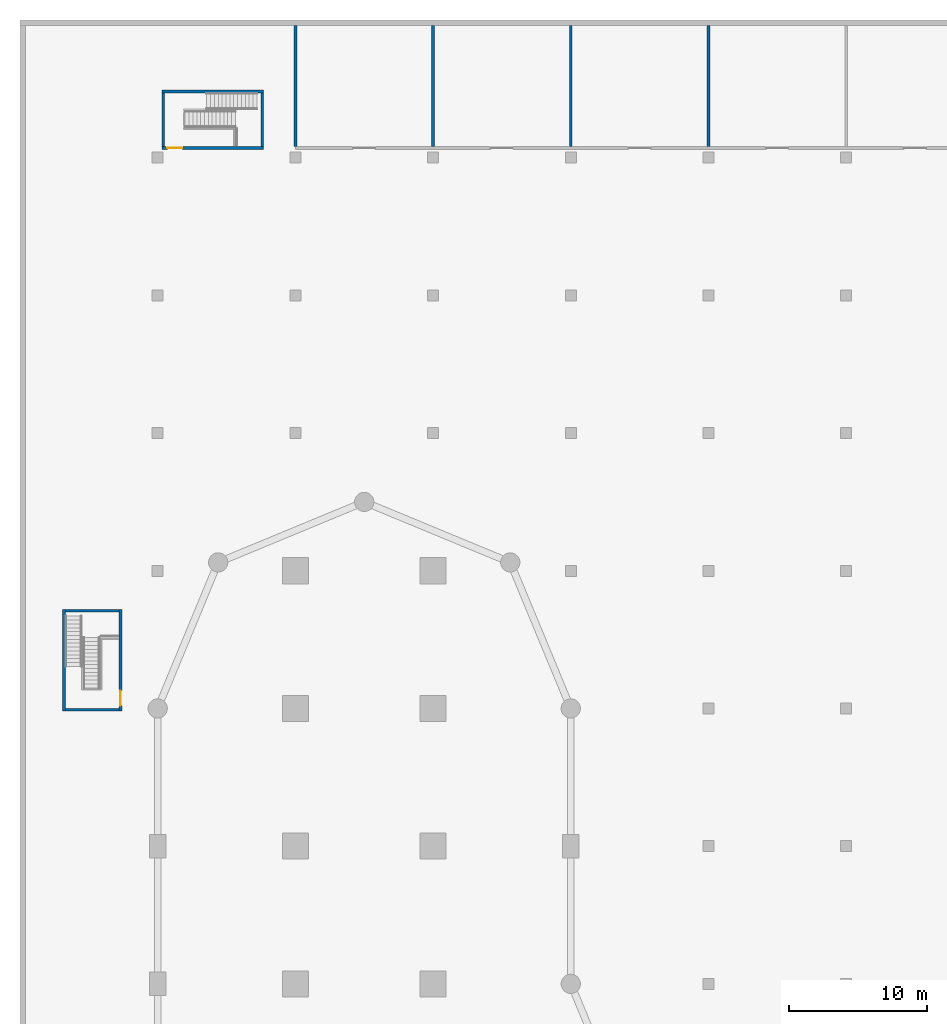
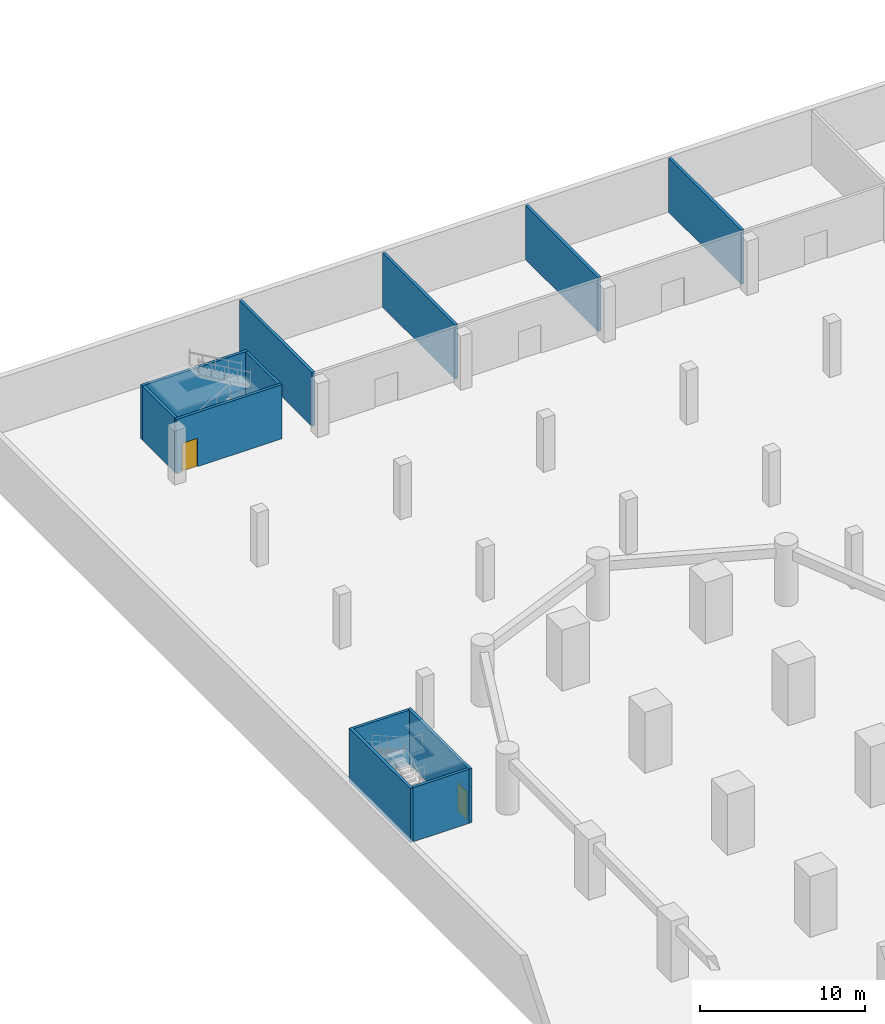
# One storey, part 9 of 19: 12 walls, 2 doors, 2 openings.
"""IFC4 building model written with IfcOpenShell, lengths in metres."""

from ifc_helpers import new_model, si_unit, direction, frame, frame_2d, origin, place, context, subcontext, project, spatial, rectangle, extrude, material, layer, layer_set, type_object, element, fill, save


model = new_model("IFC4")

# Units and contexts
model_context = context("Model", 3, precision=1e-05, world=origin(), true_north=direction((0.0, 1.0)))
body_context = subcontext(model_context, "Body", "Model", "MODEL_VIEW")
ifc_project = project(units=[si_unit("LENGTHUNIT", "METRE"), si_unit("AREAUNIT", "SQUARE_METRE"), si_unit("VOLUMEUNIT", "CUBIC_METRE"), si_unit("PLANEANGLEUNIT", "RADIAN"), si_unit("MASSUNIT", "GRAM", prefix="KILO")], contexts=[model_context])

# Site, building, storey
site_placement = place(None, origin())
site = spatial("IfcSite", under=ifc_project, at=site_placement, CompositionType="ELEMENT")
building_placement = place(site_placement, origin())
building = spatial("IfcBuilding", under=site, at=building_placement, Name="Qaws Garden Tower", CompositionType="ELEMENT")
storey_placement = place(building_placement, frame((0.0, 0.0, -4.5)))
storey = spatial("IfcBuildingStorey", under=building, at=storey_placement, Name="B1", CompositionType="ELEMENT", Elevation=-4.5)

# Walls
ifc_material_1 = material(Name="Blockwork", Category="masonry")
ifc_layer_1 = layer(ifc_material_1, 0.199951171875)
ifc_layer_set_1 = layer_set([ifc_layer_1], Name="Blockwork")
wall_type_1 = type_object("IfcWallType", Name="Plant room wall 200", PredefinedType="PARTITIONING", material=ifc_layer_set_1)
for number, where, z_axis, x_axis, name in (
    (1, (10.0, 100.800048828125, 0.0), (0.0, 0.0, 1.0), (0.0, 1.0, 0.0), "Plant room partition"),
    (2, (20.0, 100.800048828125, 0.0), (0.0, 0.0, 1.0), (0.0, 1.0, 0.0), "Plant room partition"),
    (3, (30.0, 100.800048828125, 0.0), (0.0, 0.0, 1.0), (0.0, 1.0, 0.0), "Plant room partition"),
    (4, (40.0, 100.800048828125, 0.0), (0.0, 0.0, 1.0), (0.0, 1.0, 0.0), "Plant room partition"),
):
    element("IfcWall", number, at=place(storey_placement, frame(where, z_axis=z_axis, x_axis=x_axis)), inside=storey, type_object=wall_type_1, Name=name, PredefinedType="PARTITIONING", context=body_context, shape_type="SweptSolid", body=[
        extrude(rectangle(XDim=8.800048828125, YDim=0.199951171875, at=frame_2d((4.39990234375, 0.0))), origin(), (0.0, 0.0, 1.0), 4.0),
    ])

# Wall, opening, door
ifc_material_2 = material(Name="Concrete C40", Category="concrete")
ifc_layer_2 = layer(ifc_material_2, 0.199951171875)
ifc_layer_set_2 = layer_set([ifc_layer_2], Name="Concrete C40")
wall_type_2 = type_object("IfcWallType", Name="Stair enclosure wall 200", PredefinedType="SOLIDWALL", material=ifc_layer_set_2)
wall_1_placement = place(storey_placement, frame((0.300048828125, 100.699951171875, 0.0), z_axis=(0.0, 0.0, 1.0), x_axis=(1.0, 0.0, 0.0)))
wall_1 = element("IfcWall", 5, at=wall_1_placement, inside=storey, type_object=wall_type_2, Name="Stair N1 enclosure wall", PredefinedType="SOLIDWALL", context=body_context, shape_type="SweptSolid", body=[
    extrude(rectangle(XDim=7.39990234375, YDim=0.199951171875, at=frame_2d((3.699951171875, 0.0))), origin(), (0.0, 0.0, 1.0), 4.0),
])
opening_1_placement = place(wall_1_placement, frame((0.39990234375, 0.0, 0.0)))
opening_1 = element("IfcOpeningElement", 6, at=opening_1_placement, cuts=wall_1, Name="Opening PD4-01", PredefinedType="OPENING", context=body_context, shape_type="SweptSolid", body=[
    extrude(rectangle(XDim=1.10009765625, YDim=2.10009765625, at=frame_2d((0.550048828125, 1.050048828125))), frame((0.0, 0.10986328125, 0.0), z_axis=(0.0, -1.0, 0.0), x_axis=(1.0, 0.0, 0.0)), (0.0, 0.0, 1.0), 0.219970703125),
])
ifc_material_3 = material(Name="Steel S235 framed door leaf", Category="steel")
door_type = type_object("IfcDoorType", Name="Door D4 fire stair 1100", OperationType="SINGLE_SWING_LEFT", PredefinedType="DOOR", material=ifc_material_3)
door_1_placement = place(opening_1_placement, origin())
door_1 = element("IfcDoor", 7, at=door_1_placement, inside=storey, type_object=door_type, Name="Exit stair door", OperationType="SINGLE_SWING_LEFT", OverallHeight=2.10009765625, OverallWidth=1.10009765625, PredefinedType="DOOR", context=body_context, shape_type="SweptSolid", body=[
    extrude(rectangle(XDim=1.10009765625, YDim=2.10009765625, at=frame_2d((0.550048828125, 1.050048828125))), frame((0.0, 0.02490234375, 0.0), z_axis=(0.0, -1.0, 0.0), x_axis=(1.0, 0.0, 0.0)), (0.0, 0.0, 1.0), 0.050048828125),
])
fill(opening_1, door_1)

# Walls
wall_2_placement = place(storey_placement, frame((0.300048828125, 104.800048828125, 0.0), z_axis=(0.0, 0.0, 1.0), x_axis=(1.0, 0.0, 0.0)))
element("IfcWall", 8, at=wall_2_placement, inside=storey, type_object=wall_type_2, Name="Stair N1 enclosure wall", PredefinedType="SOLIDWALL", context=body_context, shape_type="SweptSolid", body=[
    extrude(rectangle(XDim=7.39990234375, YDim=0.199951171875, at=frame_2d((3.699951171875, 0.0))), origin(), (0.0, 0.0, 1.0), 4.0),
])
for number, where, z_axis, x_axis, name in (
    (9, (0.39990234375, 100.800048828125, 0.0), (0.0, 0.0, 1.0), (0.0, 1.0, 0.0), "Stair N1 enclosure wall"),
    (10, (7.60009765625, 100.800048828125, 0.0), (0.0, 0.0, 1.0), (0.0, 1.0, 0.0), "Stair N1 enclosure wall"),
):
    element("IfcWall", number, at=place(storey_placement, frame(where, z_axis=z_axis, x_axis=x_axis)), inside=storey, type_object=wall_type_2, Name=name, PredefinedType="SOLIDWALL", context=body_context, shape_type="SweptSolid", body=[
        extrude(rectangle(XDim=3.89990234375, YDim=0.199951171875, at=frame_2d((1.949951171875, 0.0))), origin(), (0.0, 0.0, 1.0), 4.0),
    ])

# Wall, opening, door
wall_3_placement = place(storey_placement, frame((-2.699951171875, 59.800048828125, 0.0), z_axis=(0.0, 0.0, 1.0), x_axis=(0.0, 1.0, 0.0)))
wall_3 = element("IfcWall", 11, at=wall_3_placement, inside=storey, type_object=wall_type_2, Name="Stair W1 enclosure wall", PredefinedType="SOLIDWALL", context=body_context, shape_type="SweptSolid", body=[
    extrude(rectangle(XDim=7.39990234375, YDim=0.199951171875, at=frame_2d((3.699951171875, 0.0))), origin(), (0.0, 0.0, 1.0), 4.0),
])
opening_2_placement = place(wall_3_placement, frame((0.39990234375, 0.0, 0.0)))
opening_2 = element("IfcOpeningElement", 12, at=opening_2_placement, cuts=wall_3, Name="Opening PD4-04", PredefinedType="OPENING", context=body_context, shape_type="SweptSolid", body=[
    extrude(rectangle(XDim=1.10009765625, YDim=2.10009765625, at=frame_2d((0.550048828125, 1.050048828125))), frame((0.0, 0.10986328125, 0.0), z_axis=(0.0, -1.0, 0.0), x_axis=(1.0, 0.0, 0.0)), (0.0, 0.0, 1.0), 0.219970703125),
])
door_2_placement = place(opening_2_placement, origin())
door_2 = element("IfcDoor", 13, at=door_2_placement, inside=storey, type_object=door_type, Name="Exit stair door", OperationType="SINGLE_SWING_LEFT", OverallHeight=2.10009765625, OverallWidth=1.10009765625, PredefinedType="DOOR", context=body_context, shape_type="SweptSolid", body=[
    extrude(rectangle(XDim=1.10009765625, YDim=2.10009765625, at=frame_2d((0.550048828125, 1.050048828125))), frame((0.0, 0.02490234375, 0.0), z_axis=(0.0, -1.0, 0.0), x_axis=(1.0, 0.0, 0.0)), (0.0, 0.0, 1.0), 0.050048828125),
])
fill(opening_2, door_2)

# Walls
wall_4_placement = place(storey_placement, frame((-6.800048828125, 59.800048828125, 0.0), z_axis=(0.0, 0.0, 1.0), x_axis=(0.0, 1.0, 0.0)))
element("IfcWall", 14, at=wall_4_placement, inside=storey, type_object=wall_type_2, Name="Stair W1 enclosure wall", PredefinedType="SOLIDWALL", context=body_context, shape_type="SweptSolid", body=[
    extrude(rectangle(XDim=7.39990234375, YDim=0.199951171875, at=frame_2d((3.699951171875, 0.0))), origin(), (0.0, 0.0, 1.0), 4.0),
])
for number, where, z_axis, x_axis, name in (
    (15, (-2.800048828125, 59.89990234375, 0.0), (0.0, 0.0, 1.0), (-1.0, 0.0, 0.0), "Stair W1 enclosure wall"),
    (16, (-2.800048828125, 67.10009765625, 0.0), (0.0, 0.0, 1.0), (-1.0, 0.0, 0.0), "Stair W1 enclosure wall"),
):
    element("IfcWall", number, at=place(storey_placement, frame(where, z_axis=z_axis, x_axis=x_axis)), inside=storey, type_object=wall_type_2, Name=name, PredefinedType="SOLIDWALL", context=body_context, shape_type="SweptSolid", body=[
        extrude(rectangle(XDim=3.89990234375, YDim=0.199951171875, at=frame_2d((1.949951171875, 0.0))), origin(), (0.0, 0.0, 1.0), 4.0),
    ])

save(model, "model.ifc")
